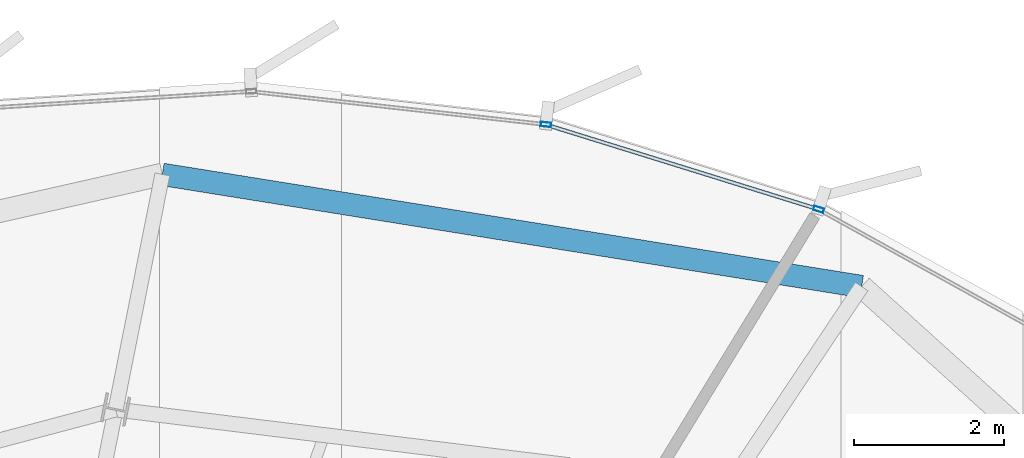
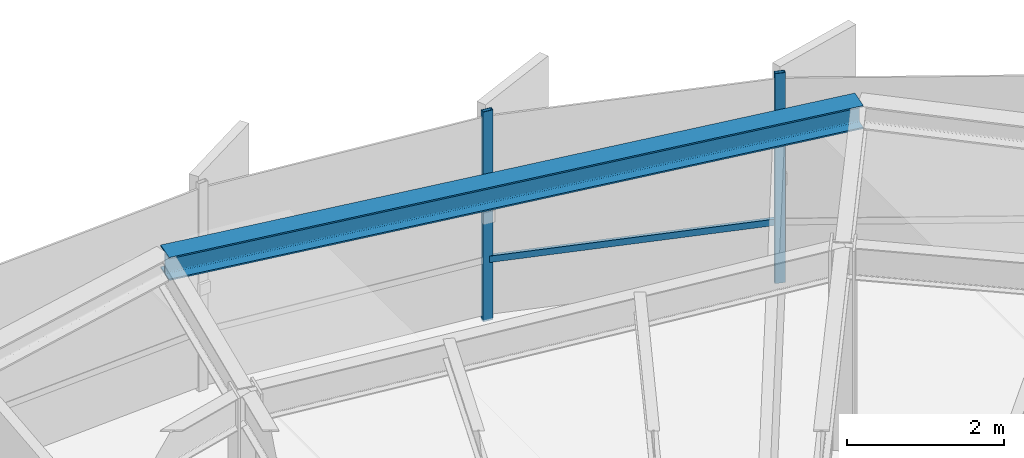
# One storey, part 27 of 35: 3 members, 1 beam, 1 element without a shape of its own.
"""IFC4 building model written with IfcOpenShell, lengths in metres."""

from ifc_helpers import new_model, si_unit, direction, frame, origin, origin_2d, place, context, subcontext, project, spatial, hollow_rectangle, i_section, extrude, source, transform, mapped, material, layer, layer_set, material_profile, profile_set, type_object, element, aggregate, save


model = new_model("IFC4")

# Units and contexts
model_context = context("Model", 3, precision=1e-05, world=origin(), true_north=direction((0.0, 1.0)))
body_context = subcontext(model_context, "Body", "Model", "MODEL_VIEW")
ifc_project = project(units=[si_unit("LENGTHUNIT", "METRE"), si_unit("AREAUNIT", "SQUARE_METRE"), si_unit("VOLUMEUNIT", "CUBIC_METRE"), si_unit("PLANEANGLEUNIT", "RADIAN"), si_unit("MASSUNIT", "GRAM", prefix="KILO"), si_unit("THERMODYNAMICTEMPERATUREUNIT", "KELVIN")], contexts=[model_context])

# Site, building, storey
site_placement = place(None, origin())
site = spatial("IfcSite", under=ifc_project, at=site_placement, CompositionType="ELEMENT")
building_placement = place(site_placement, origin())
building = spatial("IfcBuilding", under=site, at=building_placement, Name="Kethvar Cultural Tower", CompositionType="ELEMENT")
storey_placement = place(building_placement, frame((0.0, 0.0, 204.39990234375)))
storey = spatial("IfcBuildingStorey", under=building, at=storey_placement, Name="L53", CompositionType="ELEMENT", Elevation=204.39990234375)

# Beam
ifc_material_1 = material(Name="Steel S355J2", Category="steel")
ifc_material_profile_1 = material_profile(ifc_material_1, i_section(OverallWidth=0.300048828125, OverallDepth=0.360107421875, WebThickness=0.012451171875, FlangeThickness=0.0224609375, FilletRadius=0.027099609375, at=origin_2d()), Name="Steel S355J2 — HEB360")
ifc_profile_set_1 = profile_set([ifc_material_profile_1], Name="Steel S355J2 — HEB360")
beam_type = type_object("IfcBeamType", Name="BM-SP360", PredefinedType="SPANDREL", material=ifc_profile_set_1)
shared_shape_1 = source(origin(), body_context, "Body", "SweptSolid", [
    extrude(i_section(OverallWidth=0.300048828125, OverallDepth=0.360107421875, WebThickness=0.012451171875, FlangeThickness=0.0224609375, FilletRadius=0.027099609375, at=origin_2d()), origin(), (0.0, 0.0, 1.0), 9.454833984375),
])
beam_placement = place(storey_placement, frame((60.5166015625, 48.328369140625, 3.078125), z_axis=(-0.987376418886, 0.15839131109, 0.0), x_axis=(-0.15839131109, -0.987376418886, 0.0)))
element("IfcBeam", 1, at=beam_placement, inside=storey, type_object=beam_type, Name="L53 Perimeter Spandrel Beam SP-03", PredefinedType="SPANDREL", context=body_context, shape_type="MappedRepresentation", body=[
    mapped(shared_shape_1, transform((0.0, 0.0, 0.0), scale=1.0)),
])

# Curtain wall, members
ifc_material_2 = material(Name="Aluminium 6063-T6", Category="aluminium")
ifc_layer = layer(ifc_material_2, 0.179931640625, Name="Aluminium 6063-T6", Category="aluminium")
ifc_layer_set = layer_set([ifc_layer], Name="Aluminium 6063-T6 (180 mm)")
curtain_wall_type = type_object("IfcCurtainWallType", Name="CW-SYS-04-Z34", PredefinedType="NOTDEFINED", material=ifc_layer_set)
curtain_wall_placement = place(storey_placement, origin())
curtain_wall = element("IfcCurtainWall", 2, at=curtain_wall_placement, inside=storey, type_object=curtain_wall_type, Name="L53 Curtain Wall Run 01", PredefinedType="NOTDEFINED")
ifc_material_profile_2 = material_profile(ifc_material_2, hollow_rectangle(XDim=0.06005859375, YDim=0.139892578125, WallThickness=0.0048828125, at=origin_2d()), Name="Aluminium 6063-T6 — RHS140x60x5")
ifc_profile_set_2 = profile_set([ifc_material_profile_2], Name="Aluminium 6063-T6 — RHS140x60x5")
member_type_1 = type_object("IfcMemberType", Name="CW-SYS-04-Z34-MUL", PredefinedType="MULLION", material=ifc_profile_set_2)
shared_shape_2 = source(origin(), body_context, "Body", "SweptSolid", [
    extrude(hollow_rectangle(XDim=0.06005859375, YDim=0.139892578125, WallThickness=0.0048828125, at=origin_2d()), origin(), (0.0, 0.0, 1.0), 3.260009765625),
])
member_1_placement = place(storey_placement, frame((59.943115234375, 49.35888671875, 0.0), z_axis=(0.0, 0.0, 1.0), x_axis=(-0.296474901283, -0.955040644637, 0.0)))
member_1 = element("IfcMember", 3, at=member_1_placement, type_object=member_type_1, Name="CW-L53-R01 Mullion 3", PredefinedType="MULLION", context=body_context, shape_type="MappedRepresentation", body=[
    mapped(shared_shape_2, transform((0.0, 0.0, 0.0), scale=1.0)),
])
member_2_placement = place(storey_placement, frame((56.3017578125, 50.49169921875, 0.0), z_axis=(0.0, 0.0, 1.0), x_axis=(-0.111295485288, -0.993787359023, 0.0)))
member_2 = element("IfcMember", 4, at=member_2_placement, type_object=member_type_1, Name="CW-L53-R01 Mullion 4", PredefinedType="MULLION", context=body_context, shape_type="MappedRepresentation", body=[
    mapped(shared_shape_2, transform((0.0, 0.0, 0.0), scale=1.0)),
])
ifc_material_profile_3 = material_profile(ifc_material_2, hollow_rectangle(XDim=0.050048828125, YDim=0.10009765625, WallThickness=0.00390625, at=origin_2d()), Name="Aluminium 6063-T6 — RHS100x50x4")
ifc_profile_set_3 = profile_set([ifc_material_profile_3], Name="Aluminium 6063-T6 — RHS100x50x4")
member_type_2 = type_object("IfcMemberType", Name="CW-SYS-04-Z34-TRN", PredefinedType="USERDEFINED", material=ifc_profile_set_3)
shared_shape_3 = source(origin(), body_context, "Body", "SweptSolid", [
    extrude(hollow_rectangle(XDim=0.050048828125, YDim=0.10009765625, WallThickness=0.00390625, at=origin_2d()), origin(), (0.0, 0.0, 1.0), 3.747802734375),
])
member_3_placement = place(storey_placement, frame((59.90185546875, 49.371826171875, 0.9501953125), z_axis=(-0.955045058579, 0.29646068219, 0.0), x_axis=(-0.29646068219, -0.955045058579, 0.0)))
member_3 = element("IfcMember", 5, at=member_3_placement, type_object=member_type_2, Name="CW-L53-R01 Transom 3", ObjectType="TRANSOM", PredefinedType="USERDEFINED", context=body_context, shape_type="MappedRepresentation", body=[
    mapped(shared_shape_3, transform((0.0, 0.0, 0.0), scale=1.0)),
])
aggregate(curtain_wall, [member_1, member_2, member_3])

save(model, "model.ifc")
